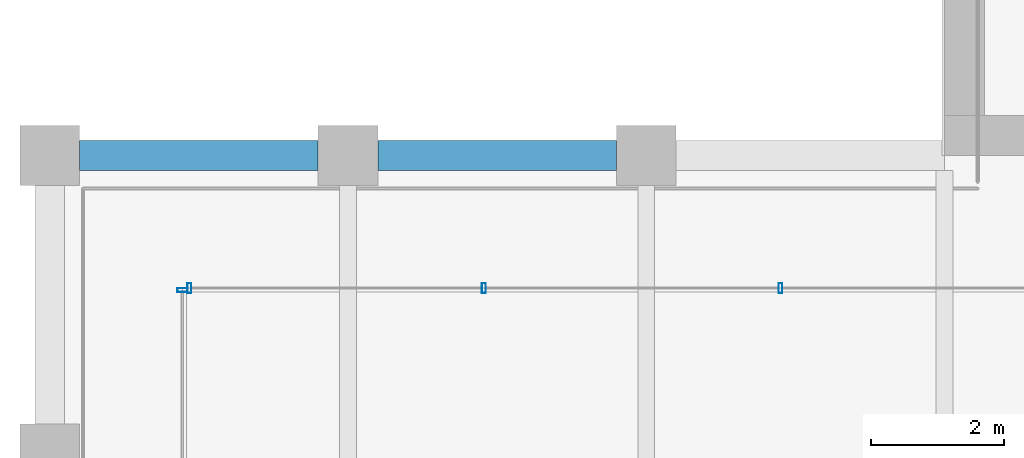
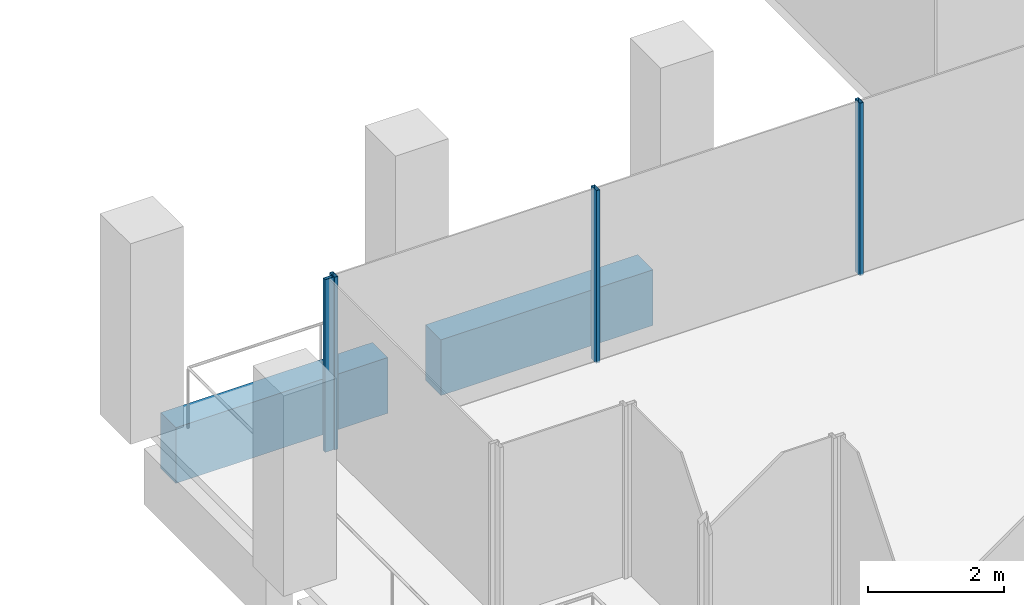
# One storey, part 5 of 40: 4 members, 2 beams, 2 elements without a shape of their own.
"""IFC4 building model written with IfcOpenShell, lengths in metres."""

import ifcopenshell
import ifcopenshell.guid

model = None  # the IFC model being written
_history = None  # IfcOwnerHistory: only IFC2X3 demands one
_inside = {}  # id of a spatial element -> (the spatial element, [elements in it])
_under = {}  # id of a project, library or spatial element -> (it, [spatial elements below it])
_declared = {}  # id of a project -> (the project, [libraries it declares])
_typed = {}  # id of a type object -> (the type object, [elements of that type])
_made_of = {}  # id of a material, layer set ... -> (it, [elements and type objects made of it])


def new_model(schema):
    """Start an empty IFC model of exactly this schema.

    Asked for "IFC4X3", IfcOpenShell would pick the latest addendum, in which some entities
    have other attributes; the version numbers below select the first issue.
    IFC2X3 requires an IfcOwnerHistory on every rooted entity: one is made here for all.
    """
    global model, _history
    if schema == "IFC4X3":
        model = ifcopenshell.file(schema_version=(4, 3, 0, 0))
    else:
        model = ifcopenshell.file(schema=schema)
    _inside.clear()
    _under.clear()
    _declared.clear()
    _typed.clear()
    _made_of.clear()
    _history = None
    if model.schema == "IFC2X3":
        org = make("IfcOrganization", Name="unknown")
        user = make(
            "IfcPersonAndOrganization",
            ThePerson=make("IfcPerson", FamilyName="unknown"),
            TheOrganization=org,
        )
        app = make(
            "IfcApplication",
            ApplicationDeveloper=org,
            Version="unknown",
            ApplicationFullName="unknown",
            ApplicationIdentifier="unknown",
        )
        _history = make(
            "IfcOwnerHistory",
            OwningUser=user,
            OwningApplication=app,
            ChangeAction="ADDED",
            CreationDate=0,
        )
    return model


def make(cls, **values):
    """One entity of the class cls with the attributes given. An attribute that is None is left unset."""
    return model.create_entity(
        cls, **{name: value for name, value in values.items() if value is not None}
    )


def rooted(cls, **values):
    """An entity with a GlobalId (a new one), such as an element, a storey or a relation."""
    return make(cls, GlobalId=ifcopenshell.guid.new(), OwnerHistory=_history, **values)


def si_unit(unit_type, name, prefix=None):
    """IfcSIUnit, for example si_unit("LENGTHUNIT", "METRE", prefix="MILLI")."""
    return make("IfcSIUnit", UnitType=unit_type, Prefix=prefix, Name=name)


def assignment(units):
    """IfcUnitAssignment: the units of a project."""
    return None if units is None else make("IfcUnitAssignment", Units=units)


def point(xyz):
    """IfcCartesianPoint."""
    return None if xyz is None else make("IfcCartesianPoint", Coordinates=xyz)


def direction(xyz):
    """IfcDirection."""
    return None if xyz is None else make("IfcDirection", DirectionRatios=xyz)


def frame(location, z_axis=None, x_axis=None):
    """IfcAxis2Placement3D, a coordinate frame: its origin and axes. An axis left out is left unset."""
    return make(
        "IfcAxis2Placement3D",
        Location=point(location),
        Axis=direction(z_axis),
        RefDirection=direction(x_axis),
    )


def frame_2d(location, x_axis=None):
    """IfcAxis2Placement2D, a coordinate frame in the plane: its origin and x axis."""
    return make(
        "IfcAxis2Placement2D", Location=point(location), RefDirection=direction(x_axis)
    )


def origin():
    """The frame at (0, 0, 0) with its axes left unset."""
    return frame((0.0, 0.0, 0.0))


def origin_2d():
    """The frame at (0, 0) in the plane with its x axis left unset."""
    return frame_2d((0.0, 0.0))


def place(relative_to, where):
    """IfcLocalPlacement: puts the frame where relative to a parent placement (None: the world)."""
    return make(
        "IfcLocalPlacement", PlacementRelTo=relative_to, RelativePlacement=where
    )


def context(
    kind, dimensions, precision=None, world=None, true_north=None, identifier=None
):
    """IfcGeometricRepresentationContext, for example the 3D "Model" context."""
    return make(
        "IfcGeometricRepresentationContext",
        ContextIdentifier=identifier,
        ContextType=kind,
        CoordinateSpaceDimension=dimensions,
        Precision=precision,
        WorldCoordinateSystem=world,
        TrueNorth=true_north,
    )


def subcontext(parent, identifier, kind, view, scale=None):
    """IfcGeometricRepresentationSubContext, for example "Body" below "Model"."""
    return make(
        "IfcGeometricRepresentationSubContext",
        ContextIdentifier=identifier,
        ContextType=kind,
        ParentContext=parent,
        TargetScale=scale,
        TargetView=view,
    )


def project(units=None, contexts=None):
    """IfcProject with its units and contexts."""
    return rooted(
        "IfcProject",
        Name="project",
        RepresentationContexts=contexts,
        UnitsInContext=assignment(units),
    )


def spatial(cls, under=None, at=None, **own):
    """A site, building, storey or space (cls), placed at a placement, below another one or the project."""
    s = rooted(cls, ObjectPlacement=at, **own)
    if under is not None:
        _under.setdefault(under.id(), (under, []))[1].append(s)
    return s


def profile(cls, at=None, kind="AREA", **sizes):
    """A parametric profile (cls). Its sizes go by their IFC names, for example OverallWidth=200.0."""
    return make(cls, ProfileType=kind, Position=at, **sizes)


def rectangle(**sizes):
    """IfcRectangleProfileDef."""
    return profile("IfcRectangleProfileDef", **sizes)


def hollow_rectangle(**sizes):
    """IfcRectangleHollowProfileDef."""
    return profile("IfcRectangleHollowProfileDef", **sizes)


def extrude(swept, where, along, depth):
    """IfcExtrudedAreaSolid: the profile swept, set in the frame where, extruded along a direction by depth."""
    return make(
        "IfcExtrudedAreaSolid",
        SweptArea=swept,
        Position=where,
        ExtrudedDirection=direction(along),
        Depth=depth,
    )


def shape(context_of_items, identifier, shape_type, items):
    """IfcShapeRepresentation: the items that make up one representation, for example the "Body"."""
    return make(
        "IfcShapeRepresentation",
        ContextOfItems=context_of_items,
        RepresentationIdentifier=identifier,
        RepresentationType=shape_type,
        Items=items,
    )


def material(Name=None, Category=None):
    """IfcMaterial."""
    return make("IfcMaterial", Name=Name, Category=Category)


def material_profile(
    of_material, cross_section, Name=None, Category=None, Priority=None
):
    """IfcMaterialProfile: a cross section and its material."""
    return make(
        "IfcMaterialProfile",
        Name=Name,
        Material=of_material,
        Profile=cross_section,
        Priority=Priority,
        Category=Category,
    )


def profile_set(profiles, Name=None, composite=None):
    """IfcMaterialProfileSet."""
    return make(
        "IfcMaterialProfileSet",
        Name=Name,
        MaterialProfiles=profiles,
        CompositeProfile=composite,
    )


def made_of(thing, what):
    """Note that an element or type object is made of a material, layer set ...; save() writes the relation."""
    if what is not None:
        _made_of.setdefault(what.id(), (what, []))[1].append(thing)
    return thing


def type_object(cls, material=None, **own):
    """A type object (cls), such as IfcWallType, which elements share."""
    return made_of(rooted(cls, **own), material)


def element(
    cls,
    number,
    at=None,
    inside=None,
    cuts=None,
    type_object=None,
    material=None,
    context=None,
    identifier="Body",
    shape_type=None,
    held_by="IfcProductDefinitionShape",
    body=None,
    shapes=None,
    **own,
):
    """One element of the class cls, such as IfcWall. Its Tag is "e" and its number.

    at: its placement. inside: the storey or other place that contains it. cuts: it is an
    opening in that element (IfcRelVoidsElement). A single representation is given by context,
    identifier, shape_type and body (its items); several are given by shapes. held_by: the class
    of the entity that holds the representations. save() writes the other relations.
    """
    e = rooted(cls, Tag="e%d" % number, ObjectPlacement=at, **own)
    if body is not None:
        shapes = [shape(context, identifier, shape_type, body)]
    if shapes is not None:
        e.Representation = make(held_by, Representations=shapes)
    if inside is not None:
        _inside.setdefault(inside.id(), (inside, []))[1].append(e)
    if cuts is not None:
        rooted(
            "IfcRelVoidsElement", RelatingBuildingElement=cuts, RelatedOpeningElement=e
        )
    if type_object is not None:
        _typed.setdefault(type_object.id(), (type_object, []))[1].append(e)
    return made_of(e, material)


def aggregate(whole, parts):
    """IfcRelAggregates: a whole, such as a stair, and the parts it consists of."""
    return rooted("IfcRelAggregates", RelatingObject=whole, RelatedObjects=parts)


def save(model, path):
    """Write the relations noted so far, then the file.

    IfcRelAggregates (storeys below a building ...), IfcRelContainedInSpatialStructure (elements
    in a storey), IfcRelDefinesByType, IfcRelAssociatesMaterial and IfcRelDeclares: one each for
    every whole, place, type object, material and project.
    """
    for whole, parts in _under.values():
        aggregate(whole, parts)
    for where, things in _inside.values():
        rooted(
            "IfcRelContainedInSpatialStructure",
            RelatedElements=things,
            RelatingStructure=where,
        )
    for kind, things in _typed.values():
        rooted("IfcRelDefinesByType", RelatedObjects=things, RelatingType=kind)
    for what, things in _made_of.values():
        rooted("IfcRelAssociatesMaterial", RelatedObjects=things, RelatingMaterial=what)
    for by, libraries in _declared.values():
        rooted("IfcRelDeclares", RelatingContext=by, RelatedDefinitions=libraries)
    model.write(path)


model = new_model("IFC4")

# Units and contexts
model_context = context("Model", 3, precision=1e-05, world=origin(), true_north=direction((0.0, 1.0)))
body_context = subcontext(model_context, "Body", "Model", "MODEL_VIEW")
ifc_project = project(units=[si_unit("LENGTHUNIT", "METRE"), si_unit("AREAUNIT", "SQUARE_METRE"), si_unit("VOLUMEUNIT", "CUBIC_METRE"), si_unit("PLANEANGLEUNIT", "RADIAN"), si_unit("MASSUNIT", "GRAM", prefix="KILO")], contexts=[model_context])

# Site, building, storey
site_placement = place(None, origin())
site = spatial("IfcSite", under=ifc_project, at=site_placement, CompositionType="ELEMENT")
building_placement = place(site_placement, origin())
building = spatial("IfcBuilding", under=site, at=building_placement, Name="Altepetl Exchange Towers", CompositionType="ELEMENT")
storey_placement = place(building_placement, frame((0.0, 0.0, 172.60009765625)))
storey = spatial("IfcBuildingStorey", under=building, at=storey_placement, Name="L43", CompositionType="ELEMENT", Elevation=172.60009765625)

# Curtain wall, members
ifc_material_1 = material(Name="Aluminium 6063-T6 glazing", Category="aluminium")
curtain_wall_type = type_object("IfcCurtainWallType", Name="Loggia glazing system", PredefinedType="NOTDEFINED", material=ifc_material_1)
curtain_wall_1_placement = place(storey_placement, origin())
curtain_wall_1 = element("IfcCurtainWall", 1, at=curtain_wall_1_placement, inside=storey, type_object=curtain_wall_type, Name="CW1 run", PredefinedType="NOTDEFINED")
ifc_material_2 = material(Name="Aluminium 6063-T6", Category="aluminium")
ifc_material_profile_1 = material_profile(ifc_material_2, hollow_rectangle(XDim=0.06005859375, YDim=0.14990234375, WallThickness=0.0029296875, at=origin_2d()), Name="Mullion 60x150 aluminium")
ifc_profile_set_1 = profile_set([ifc_material_profile_1], Name="Aluminium 6063-T6")
member_type = type_object("IfcMemberType", Name="Mullion 60x150 aluminium", PredefinedType="MULLION", material=ifc_profile_set_1)
member_1_placement = place(storey_placement, frame((38.02490234375, 38.5, 0.0), z_axis=(0.0, 0.0, 1.0), x_axis=(-1.0, 0.0, 0.0)))
member_1 = element("IfcMember", 2, at=member_1_placement, type_object=member_type, Name="MU1 mullion", PredefinedType="MULLION", context=body_context, shape_type="SweptSolid", body=[
    extrude(hollow_rectangle(XDim=0.06005859375, YDim=0.14990234375, WallThickness=0.0029296875, at=origin_2d()), origin(), (0.0, 0.0, 1.0), 3.099853515625),
])
member_2_placement = place(storey_placement, frame((33.550048828125, 38.5, 0.0), z_axis=(0.0, 0.0, 1.0), x_axis=(-1.0, 0.0, 0.0)))
member_2 = element("IfcMember", 3, at=member_2_placement, type_object=member_type, Name="MU1 mullion", PredefinedType="MULLION", context=body_context, shape_type="SweptSolid", body=[
    extrude(hollow_rectangle(XDim=0.06005859375, YDim=0.14990234375, WallThickness=0.0029296875, at=origin_2d()), origin(), (0.0, 0.0, 1.0), 3.099853515625),
])
member_3_placement = place(storey_placement, frame((29.10498046875, 38.5, 0.0), z_axis=(0.0, 0.0, 1.0), x_axis=(-1.0, 0.0, 0.0)))
member_3 = element("IfcMember", 4, at=member_3_placement, type_object=member_type, Name="MU1 mullion", PredefinedType="MULLION", context=body_context, shape_type="SweptSolid", body=[
    extrude(hollow_rectangle(XDim=0.06005859375, YDim=0.14990234375, WallThickness=0.0029296875, at=origin_2d()), origin(), (0.0, 0.0, 1.0), 3.099853515625),
])
aggregate(curtain_wall_1, [member_1, member_2, member_3])

# Curtain wall, member
curtain_wall_2_placement = place(storey_placement, origin())
curtain_wall_2 = element("IfcCurtainWall", 5, at=curtain_wall_2_placement, inside=storey, type_object=curtain_wall_type, Name="CW1 run", PredefinedType="NOTDEFINED")
member_4_placement = place(storey_placement, frame((29.0, 38.469970703125, 0.0), z_axis=(0.0, 0.0, 1.0), x_axis=(0.0, -1.0, 0.0)))
member_4 = element("IfcMember", 6, at=member_4_placement, type_object=member_type, Name="MU1 mullion", PredefinedType="MULLION", context=body_context, shape_type="SweptSolid", body=[
    extrude(hollow_rectangle(XDim=0.06005859375, YDim=0.14990234375, WallThickness=0.0029296875, at=origin_2d()), origin(), (0.0, 0.0, 1.0), 3.099853515625),
])
aggregate(curtain_wall_2, [member_4])

# Beams
ifc_material_3 = material(Name="Concrete C50/60 precast with tezontle facing", Category="concrete")
ifc_material_profile_2 = material_profile(ifc_material_3, rectangle(XDim=0.449951171875, YDim=1.0, at=origin_2d()), Name="450 x 1000")
ifc_profile_set_2 = profile_set([ifc_material_profile_2], Name="Concrete C50/60 precast with tezontle facing")
beam_type = type_object("IfcBeamType", Name="Spandrel beam 450x1000 tezontle", PredefinedType="SPANDREL", material=ifc_profile_set_2)
for number, where, z_axis, x_axis, name in (
    (7, (35.550048828125, 40.5, -0.650146484375), (-1.0, 0.0, 0.0), (0.0, -1.0, 0.0), "sp:A:L43:034"),
    (8, (31.050048828125, 40.5, -0.650146484375), (-1.0, 0.0, 0.0), (0.0, -1.0, 0.0), "sp:A:L43:035"),
):
    element("IfcBeam", number, at=place(storey_placement, frame(where, z_axis=z_axis, x_axis=x_axis)), inside=storey, type_object=beam_type, Name=name, PredefinedType="SPANDREL", context=body_context, shape_type="SweptSolid", body=[
        extrude(rectangle(XDim=0.449951171875, YDim=1.0, at=origin_2d()), origin(), (0.0, 0.0, 1.0), 3.60009765625),
    ])

save(model, "model.ifc")
